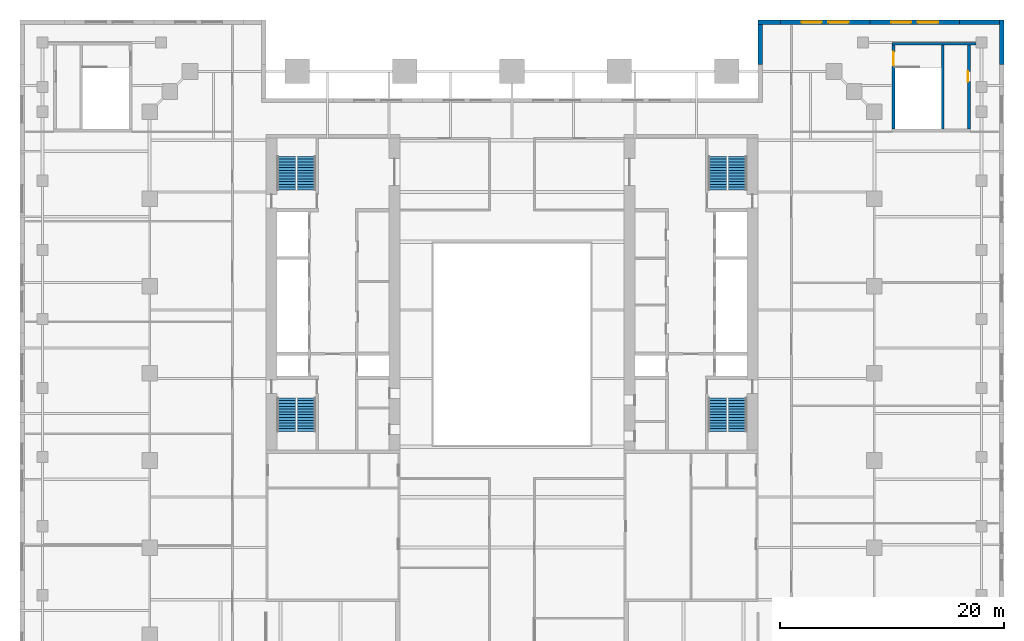
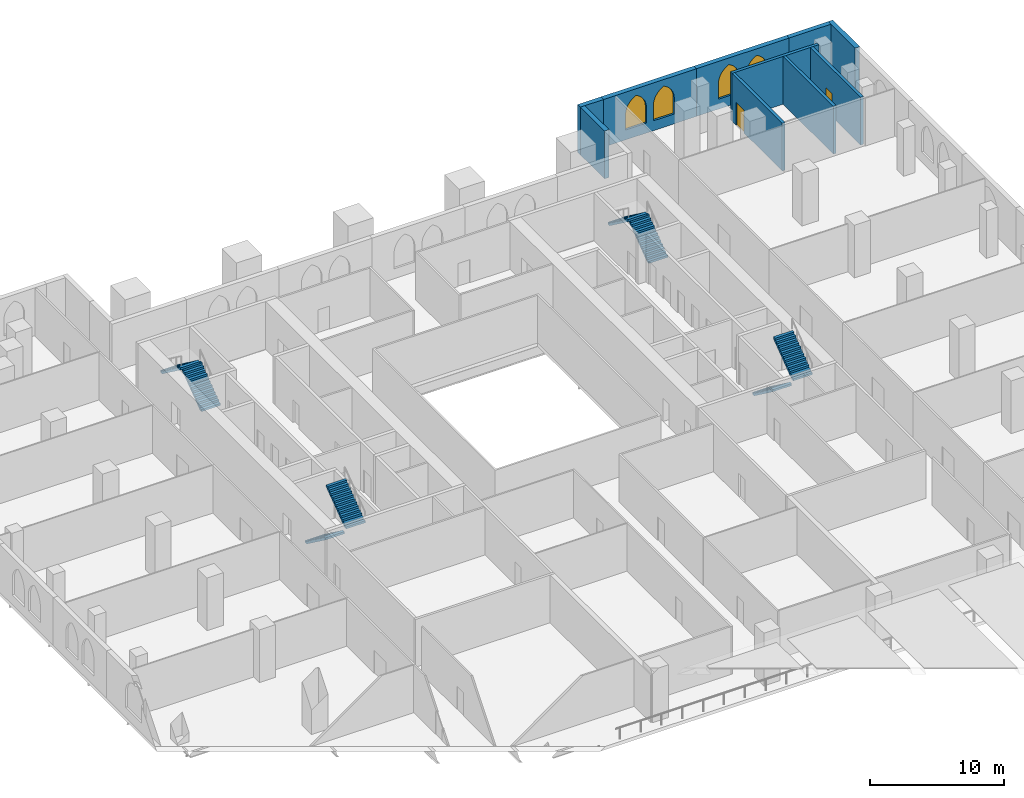
# One storey, part 17 of 18: 10 walls, 8 stair flights, 4 windows, 2 doors, 6 openings, 4 elements without a shape of their own.
"""IFC4 building model written with IfcOpenShell, lengths in metres."""

from ifc_helpers import new_model, si_unit, direction, frame, frame_2d, origin, place, context, subcontext, project, spatial, polyline, rectangle, outline, extrude, material, layer, layer_set, type_object, element, fill, aggregate, save


model = new_model("IFC4")

# Units and contexts
model_context = context("Model", 3, precision=1e-05, world=origin(), true_north=direction((0.0, 1.0)))
body_context = subcontext(model_context, "Body", "Model", "MODEL_VIEW")
ifc_project = project(units=[si_unit("LENGTHUNIT", "METRE"), si_unit("AREAUNIT", "SQUARE_METRE"), si_unit("VOLUMEUNIT", "CUBIC_METRE"), si_unit("PLANEANGLEUNIT", "RADIAN"), si_unit("MASSUNIT", "GRAM", prefix="KILO")], contexts=[model_context])

# Site, building, storey
site_placement = place(None, origin())
site = spatial("IfcSite", under=ifc_project, at=site_placement, CompositionType="ELEMENT")
building_placement = place(site_placement, origin())
building = spatial("IfcBuilding", under=site, at=building_placement, Name="Ogive Exchange Tower", CompositionType="ELEMENT")
storey_placement = place(building_placement, frame((0.0, 0.0, 28.800048828125)))
storey = spatial("IfcBuildingStorey", under=building, at=storey_placement, Name="L05", CompositionType="ELEMENT", Elevation=28.800048828125)

# Walls
ifc_material_1 = material(Name="Precast concrete C40/50", Category="concrete")
ifc_layer_1 = layer(ifc_material_1, 0.39990234375)
ifc_layer_set_1 = layer_set([ifc_layer_1], Name="Limestone-faced wall 400")
wall_type_1 = type_object("IfcWallType", Name="Limestone-faced wall 400", PredefinedType="STANDARD", material=ifc_layer_set_1)
wall_1_placement = place(storey_placement, frame((43.800048828125, 32.0, 0.0), z_axis=(0.0, 0.0, 1.0), x_axis=(0.0, 1.0, 0.0)))
element("IfcWall", 1, at=wall_1_placement, inside=storey, type_object=wall_type_1, Name="Podium wall E12", PredefinedType="STANDARD", context=body_context, shape_type="SweptSolid", body=[
    extrude(rectangle(XDim=4.0, YDim=0.39990234375, at=frame_2d((2.0, 0.0))), origin(), (0.0, 0.0, 1.0), 4.349853515625),
])
wall_2_placement = place(storey_placement, frame((43.60009765625, 35.800048828125, 0.0), z_axis=(0.0, 0.0, 1.0), x_axis=(-1.0, 0.0, 0.0)))
element("IfcWall", 2, at=wall_2_placement, inside=storey, type_object=wall_type_1, Name="Podium wall N1", PredefinedType="STANDARD", context=body_context, shape_type="SweptSolid", body=[
    extrude(rectangle(XDim=3.60009765625, YDim=0.39990234375, at=frame_2d((1.800048828125, 0.0))), origin(), (0.0, 0.0, 1.0), 4.349853515625),
])

# Wall, openings, windows
wall_3_placement = place(storey_placement, frame((40.0, 35.800048828125, 0.0), z_axis=(0.0, 0.0, 1.0), x_axis=(-1.0, 0.0, 0.0)))
wall_3 = element("IfcWall", 3, at=wall_3_placement, inside=storey, type_object=wall_type_1, Name="Podium wall N2", PredefinedType="STANDARD", context=body_context, shape_type="SweptSolid", body=[
    extrude(rectangle(XDim=8.0, YDim=0.39990234375, at=frame_2d((4.0, 0.0))), origin(), (0.0, 0.0, 1.0), 4.349853515625),
])
opening_1_placement = place(wall_3_placement, frame((1.89990234375, 0.0, 0.89990234375)))
opening_1 = element("IfcOpeningElement", 4, at=opening_1_placement, cuts=wall_3, Name="Opening WQ285", PredefinedType="OPENING", context=body_context, shape_type="SweptSolid", body=[
    extrude(outline(polyline([(0.0, 0.0), (1.800048828125, 0.0), (1.800048828125, 1.425048828125), (1.784423828125, 1.646484375), (1.73779296875, 1.86376953125), (1.661376953125, 2.072265625), (1.55615234375, 2.267822265625), (1.4248046875, 2.44677734375), (1.269287109375, 2.60546875), (1.09326171875, 2.74072265625), (0.89990234375, 2.85009765625), (0.706787109375, 2.74072265625), (0.53076171875, 2.60546875), (0.375244140625, 2.44677734375), (0.243896484375, 2.267822265625), (0.138671875, 2.072265625), (0.062255859375, 1.86376953125), (0.015625, 1.646484375), (0.0, 1.425048828125), (0.0, 0.0)])), frame((0.0, 0.2099609375, 0.0), z_axis=(0.0, -1.0, 0.0), x_axis=(1.0, 0.0, 0.0)), (0.0, 0.0, 1.0), 0.419921875),
])
opening_2_placement = place(wall_3_placement, frame((4.300048828125, 0.0, 0.89990234375)))
opening_2 = element("IfcOpeningElement", 5, at=opening_2_placement, cuts=wall_3, Name="Opening WQ285", PredefinedType="OPENING", context=body_context, shape_type="SweptSolid", body=[
    extrude(outline(polyline([(0.0, 0.0), (1.800048828125, 0.0), (1.800048828125, 1.425048828125), (1.784423828125, 1.646484375), (1.73779296875, 1.86376953125), (1.661376953125, 2.072265625), (1.55615234375, 2.267822265625), (1.4248046875, 2.44677734375), (1.269287109375, 2.60546875), (1.09326171875, 2.74072265625), (0.89990234375, 2.85009765625), (0.706787109375, 2.74072265625), (0.53076171875, 2.60546875), (0.375244140625, 2.44677734375), (0.243896484375, 2.267822265625), (0.138671875, 2.072265625), (0.062255859375, 1.86376953125), (0.015625, 1.646484375), (0.0, 1.425048828125), (0.0, 0.0)])), frame((0.0, 0.2099609375, 0.0), z_axis=(0.0, -1.0, 0.0), x_axis=(1.0, 0.0, 0.0)), (0.0, 0.0, 1.0), 0.419921875),
])
ifc_material_2 = material(Name="Clear glass in bronze frame", Category="glass")
window_type = type_object("IfcWindowType", Name="Podium paired lancet 1800 x 2850", PartitioningType="DOUBLE_PANEL_VERTICAL", PredefinedType="WINDOW", material=ifc_material_2)
window_1_placement = place(opening_1_placement, origin())
window_1 = element("IfcWindow", 6, at=window_1_placement, inside=storey, type_object=window_type, Name="Podium paired lancet N2.1", OverallHeight=2.85009765625, OverallWidth=1.800048828125, PartitioningType="DOUBLE_PANEL_VERTICAL", PredefinedType="WINDOW", context=body_context, shape_type="SweptSolid", body=[
    extrude(outline(polyline([(0.0, 0.0), (1.800048828125, 0.0), (1.800048828125, 1.425048828125), (1.784423828125, 1.646484375), (1.73779296875, 1.86376953125), (1.661376953125, 2.072265625), (1.55615234375, 2.267822265625), (1.4248046875, 2.44677734375), (1.269287109375, 2.60546875), (1.09326171875, 2.74072265625), (0.89990234375, 2.85009765625), (0.706787109375, 2.74072265625), (0.53076171875, 2.60546875), (0.375244140625, 2.44677734375), (0.243896484375, 2.267822265625), (0.138671875, 2.072265625), (0.062255859375, 1.86376953125), (0.015625, 1.646484375), (0.0, 1.425048828125), (0.0, 0.0)])), frame((0.0, 0.030029296875, 0.0), z_axis=(0.0, -1.0, 0.0), x_axis=(1.0, 0.0, 0.0)), (0.0, 0.0, 1.0), 0.06005859375),
])
fill(opening_1, window_1)
window_2_placement = place(opening_2_placement, origin())
window_2 = element("IfcWindow", 7, at=window_2_placement, inside=storey, type_object=window_type, Name="Podium paired lancet N2.2", OverallHeight=2.85009765625, OverallWidth=1.800048828125, PartitioningType="DOUBLE_PANEL_VERTICAL", PredefinedType="WINDOW", context=body_context, shape_type="SweptSolid", body=[
    extrude(outline(polyline([(0.0, 0.0), (1.800048828125, 0.0), (1.800048828125, 1.425048828125), (1.784423828125, 1.646484375), (1.73779296875, 1.86376953125), (1.661376953125, 2.072265625), (1.55615234375, 2.267822265625), (1.4248046875, 2.44677734375), (1.269287109375, 2.60546875), (1.09326171875, 2.74072265625), (0.89990234375, 2.85009765625), (0.706787109375, 2.74072265625), (0.53076171875, 2.60546875), (0.375244140625, 2.44677734375), (0.243896484375, 2.267822265625), (0.138671875, 2.072265625), (0.062255859375, 1.86376953125), (0.015625, 1.646484375), (0.0, 1.425048828125), (0.0, 0.0)])), frame((0.0, 0.030029296875, 0.0), z_axis=(0.0, -1.0, 0.0), x_axis=(1.0, 0.0, 0.0)), (0.0, 0.0, 1.0), 0.06005859375),
])
fill(opening_2, window_2)

wall_4_placement = place(storey_placement, frame((32.0, 35.800048828125, 0.0), z_axis=(0.0, 0.0, 1.0), x_axis=(-1.0, 0.0, 0.0)))
wall_4 = element("IfcWall", 8, at=wall_4_placement, inside=storey, type_object=wall_type_1, Name="Podium wall N3", PredefinedType="STANDARD", context=body_context, shape_type="SweptSolid", body=[
    extrude(rectangle(XDim=8.0, YDim=0.39990234375, at=frame_2d((4.0, 0.0))), origin(), (0.0, 0.0, 1.0), 4.349853515625),
])
opening_3_placement = place(wall_4_placement, frame((1.89990234375, 0.0, 0.89990234375)))
opening_3 = element("IfcOpeningElement", 9, at=opening_3_placement, cuts=wall_4, Name="Opening WQ285", PredefinedType="OPENING", context=body_context, shape_type="SweptSolid", body=[
    extrude(outline(polyline([(0.0, 0.0), (1.800048828125, 0.0), (1.800048828125, 1.425048828125), (1.784423828125, 1.646484375), (1.73779296875, 1.86376953125), (1.661376953125, 2.072265625), (1.55615234375, 2.267822265625), (1.4248046875, 2.44677734375), (1.269287109375, 2.60546875), (1.09326171875, 2.74072265625), (0.89990234375, 2.85009765625), (0.706787109375, 2.74072265625), (0.53076171875, 2.60546875), (0.375244140625, 2.44677734375), (0.243896484375, 2.267822265625), (0.138671875, 2.072265625), (0.062255859375, 1.86376953125), (0.015625, 1.646484375), (0.0, 1.425048828125), (0.0, 0.0)])), frame((0.0, 0.2099609375, 0.0), z_axis=(0.0, -1.0, 0.0), x_axis=(1.0, 0.0, 0.0)), (0.0, 0.0, 1.0), 0.419921875),
])
opening_4_placement = place(wall_4_placement, frame((4.300048828125, 0.0, 0.89990234375)))
opening_4 = element("IfcOpeningElement", 10, at=opening_4_placement, cuts=wall_4, Name="Opening WQ285", PredefinedType="OPENING", context=body_context, shape_type="SweptSolid", body=[
    extrude(outline(polyline([(0.0, 0.0), (1.800048828125, 0.0), (1.800048828125, 1.425048828125), (1.784423828125, 1.646484375), (1.73779296875, 1.86376953125), (1.661376953125, 2.072265625), (1.55615234375, 2.267822265625), (1.4248046875, 2.44677734375), (1.269287109375, 2.60546875), (1.09326171875, 2.74072265625), (0.89990234375, 2.85009765625), (0.706787109375, 2.74072265625), (0.53076171875, 2.60546875), (0.375244140625, 2.44677734375), (0.243896484375, 2.267822265625), (0.138671875, 2.072265625), (0.062255859375, 1.86376953125), (0.015625, 1.646484375), (0.0, 1.425048828125), (0.0, 0.0)])), frame((0.0, 0.2099609375, 0.0), z_axis=(0.0, -1.0, 0.0), x_axis=(1.0, 0.0, 0.0)), (0.0, 0.0, 1.0), 0.419921875),
])
window_3_placement = place(opening_3_placement, origin())
window_3 = element("IfcWindow", 11, at=window_3_placement, inside=storey, type_object=window_type, Name="Podium paired lancet N3.1", OverallHeight=2.85009765625, OverallWidth=1.800048828125, PartitioningType="DOUBLE_PANEL_VERTICAL", PredefinedType="WINDOW", context=body_context, shape_type="SweptSolid", body=[
    extrude(outline(polyline([(0.0, 0.0), (1.800048828125, 0.0), (1.800048828125, 1.425048828125), (1.784423828125, 1.646484375), (1.73779296875, 1.86376953125), (1.661376953125, 2.072265625), (1.55615234375, 2.267822265625), (1.4248046875, 2.44677734375), (1.269287109375, 2.60546875), (1.09326171875, 2.74072265625), (0.89990234375, 2.85009765625), (0.706787109375, 2.74072265625), (0.53076171875, 2.60546875), (0.375244140625, 2.44677734375), (0.243896484375, 2.267822265625), (0.138671875, 2.072265625), (0.062255859375, 1.86376953125), (0.015625, 1.646484375), (0.0, 1.425048828125), (0.0, 0.0)])), frame((0.0, 0.030029296875, 0.0), z_axis=(0.0, -1.0, 0.0), x_axis=(1.0, 0.0, 0.0)), (0.0, 0.0, 1.0), 0.06005859375),
])
fill(opening_3, window_3)
window_4_placement = place(opening_4_placement, origin())
window_4 = element("IfcWindow", 12, at=window_4_placement, inside=storey, type_object=window_type, Name="Podium paired lancet N3.2", OverallHeight=2.85009765625, OverallWidth=1.800048828125, PartitioningType="DOUBLE_PANEL_VERTICAL", PredefinedType="WINDOW", context=body_context, shape_type="SweptSolid", body=[
    extrude(outline(polyline([(0.0, 0.0), (1.800048828125, 0.0), (1.800048828125, 1.425048828125), (1.784423828125, 1.646484375), (1.73779296875, 1.86376953125), (1.661376953125, 2.072265625), (1.55615234375, 2.267822265625), (1.4248046875, 2.44677734375), (1.269287109375, 2.60546875), (1.09326171875, 2.74072265625), (0.89990234375, 2.85009765625), (0.706787109375, 2.74072265625), (0.53076171875, 2.60546875), (0.375244140625, 2.44677734375), (0.243896484375, 2.267822265625), (0.138671875, 2.072265625), (0.062255859375, 1.86376953125), (0.015625, 1.646484375), (0.0, 1.425048828125), (0.0, 0.0)])), frame((0.0, 0.030029296875, 0.0), z_axis=(0.0, -1.0, 0.0), x_axis=(1.0, 0.0, 0.0)), (0.0, 0.0, 1.0), 0.06005859375),
])
fill(opening_4, window_4)

# Walls
wall_5_placement = place(storey_placement, frame((24.0, 35.800048828125, 0.0), z_axis=(0.0, 0.0, 1.0), x_axis=(-1.0, 0.0, 0.0)))
element("IfcWall", 13, at=wall_5_placement, inside=storey, type_object=wall_type_1, Name="Podium wall N4", PredefinedType="STANDARD", context=body_context, shape_type="SweptSolid", body=[
    extrude(rectangle(XDim=2.0, YDim=0.39990234375, at=frame_2d((1.0, 0.0))), origin(), (0.0, 0.0, 1.0), 4.349853515625),
])
wall_6_placement = place(storey_placement, frame((22.199951171875, 35.60009765625, 0.0), z_axis=(0.0, 0.0, 1.0), x_axis=(0.0, -1.0, 0.0)))
element("IfcWall", 14, at=wall_6_placement, inside=storey, type_object=wall_type_1, Name="Podium wall K1", PredefinedType="STANDARD", context=body_context, shape_type="SweptSolid", body=[
    extrude(rectangle(XDim=3.60009765625, YDim=0.39990234375, at=frame_2d((1.800048828125, 0.0))), origin(), (0.0, 0.0, 1.0), 4.349853515625),
])
ifc_material_3 = material(Name="Concrete C70/85", Category="concrete")
ifc_layer_2 = layer(ifc_material_3, 0.25)
ifc_layer_set_2 = layer_set([ifc_layer_2], Name="RC core wall 250 C70/85")
wall_type_2 = type_object("IfcWallType", Name="RC core wall 250 C70/85", PredefinedType="SHEAR", material=ifc_layer_set_2)
wall_7_placement = place(storey_placement, frame((34.0, 33.875, 0.0), z_axis=(0.0, 0.0, 1.0), x_axis=(1.0, 0.0, 0.0)))
element("IfcWall", 15, at=wall_7_placement, inside=storey, type_object=wall_type_2, Name="PS4 north wall", PredefinedType="SHEAR", context=body_context, shape_type="SweptSolid", body=[
    extrude(rectangle(XDim=7.5, YDim=0.25, at=frame_2d((3.75, 0.0))), origin(), (0.0, 0.0, 1.0), 4.349853515625),
])

# Wall, opening, door
wall_8_placement = place(storey_placement, frame((34.125, 26.25, 0.0), z_axis=(0.0, 0.0, 1.0), x_axis=(0.0, 1.0, 0.0)))
wall_8 = element("IfcWall", 16, at=wall_8_placement, inside=storey, type_object=wall_type_2, Name="PS4 west wall", PredefinedType="SHEAR", context=body_context, shape_type="SweptSolid", body=[
    extrude(rectangle(XDim=7.5, YDim=0.25, at=frame_2d((3.75, 0.0))), origin(), (0.0, 0.0, 1.0), 4.349853515625),
])
opening_5_placement = place(wall_8_placement, frame((5.699951171875, 0.0, 0.0)))
opening_5 = element("IfcOpeningElement", 17, at=opening_5_placement, cuts=wall_8, Name="Opening L05-C51", PredefinedType="OPENING", context=body_context, shape_type="SweptSolid", body=[
    extrude(rectangle(XDim=1.199951171875, YDim=2.10009765625, at=frame_2d((0.60009765625, 1.050048828125))), frame((0.0, 0.135009765625, 0.0), z_axis=(0.0, -1.0, 0.0), x_axis=(1.0, 0.0, 0.0)), (0.0, 0.0, 1.0), 0.27001953125),
])
ifc_material_4 = material(Name="Steel fire door", Category="steel")
door_type_1 = type_object("IfcDoorType", Name="Stair door FD90 1200 x 2100", OperationType="NOTDEFINED", PredefinedType="DOOR", material=ifc_material_4)
door_1_placement = place(opening_5_placement, origin())
door_1 = element("IfcDoor", 18, at=door_1_placement, inside=storey, type_object=door_type_1, Name="Stair door", ObjectType="CD5", OperationType="SINGLE_SWING_LEFT", OverallHeight=2.10009765625, OverallWidth=1.199951171875, PredefinedType="DOOR", context=body_context, shape_type="SweptSolid", body=[
    extrude(rectangle(XDim=1.199951171875, YDim=2.10009765625, at=frame_2d((0.60009765625, 1.050048828125))), frame((0.0, 0.02490234375, 0.0), z_axis=(0.0, -1.0, 0.0), x_axis=(1.0, 0.0, 0.0)), (0.0, 0.0, 1.0), 0.050048828125),
])
fill(opening_5, door_1)

wall_9_placement = place(storey_placement, frame((40.875, 26.25, 0.0), z_axis=(0.0, 0.0, 1.0), x_axis=(0.0, 1.0, 0.0)))
wall_9 = element("IfcWall", 19, at=wall_9_placement, inside=storey, type_object=wall_type_2, Name="PS4 east wall", PredefinedType="SHEAR", context=body_context, shape_type="SweptSolid", body=[
    extrude(rectangle(XDim=7.5, YDim=0.25, at=frame_2d((3.75, 0.0))), origin(), (0.0, 0.0, 1.0), 4.349853515625),
])
opening_6_placement = place(wall_9_placement, frame((4.25, 0.0, 0.0)))
opening_6 = element("IfcOpeningElement", 20, at=opening_6_placement, cuts=wall_9, Name="Opening L05-C52", PredefinedType="OPENING", context=body_context, shape_type="SweptSolid", body=[
    extrude(rectangle(XDim=0.89990234375, YDim=2.10009765625, at=frame_2d((0.449951171875, 1.050048828125))), frame((0.0, 0.135009765625, 0.0), z_axis=(0.0, -1.0, 0.0), x_axis=(1.0, 0.0, 0.0)), (0.0, 0.0, 1.0), 0.27001953125),
])
door_type_2 = type_object("IfcDoorType", Name="Riser door FD60 900 x 2100", OperationType="NOTDEFINED", PredefinedType="DOOR", material=ifc_material_4)
door_2_placement = place(opening_6_placement, frame((0.89990234375, 0.2001953125, 0.0), z_axis=(0.0, 0.0, 1.0), x_axis=(-1.0, 0.0, 0.0)))
door_2 = element("IfcDoor", 21, at=door_2_placement, inside=storey, type_object=door_type_2, Name="Riser door", ObjectType="CD2", OperationType="SINGLE_SWING_RIGHT", OverallHeight=2.10009765625, OverallWidth=0.89990234375, PredefinedType="DOOR", context=body_context, shape_type="SweptSolid", body=[
    extrude(rectangle(XDim=0.89990234375, YDim=2.10009765625, at=frame_2d((0.449951171875, 1.050048828125))), frame((0.0, 0.125, 0.0), z_axis=(0.0, -1.0, 0.0), x_axis=(1.0, 0.0, 0.0)), (0.0, 0.0, 1.0), 0.050048828125),
])
fill(opening_6, door_2)

# Wall
wall_10_placement = place(storey_placement, frame((38.52490234375, 26.25, 0.0), z_axis=(0.0, 0.0, 1.0), x_axis=(0.0, 1.0, 0.0)))
element("IfcWall", 22, at=wall_10_placement, inside=storey, type_object=wall_type_2, Name="PS4 partition wall", PredefinedType="SHEAR", context=body_context, shape_type="SweptSolid", body=[
    extrude(rectangle(XDim=7.5, YDim=0.25, at=frame_2d((3.75, 0.0))), origin(), (0.0, 0.0, 1.0), 4.349853515625),
])

# Stair, stair flights
ifc_material_5 = material(Name="Concrete C40/50", Category="concrete")
stair_type = type_object("IfcStairType", Name="Exit stair 1650 wide", PredefinedType="HALF_TURN_STAIR", material=ifc_material_5)
stair_1_placement = place(storey_placement, origin())
stair_1 = element("IfcStair", 23, at=stair_1_placement, inside=storey, type_object=stair_type, Name="L05 exit stair ST1", PredefinedType="HALF_TURN_STAIR")
stair_flight_type = type_object("IfcStairFlightType", Name="Stair flight 1650 wide", PredefinedType="STRAIGHT", material=ifc_material_5)
stair_flight_1_placement = place(storey_placement, frame((-20.175048828125, 2.199951171875, 0.0), z_axis=(0.0, 0.0, 1.0), x_axis=(0.0, -1.0, 0.0)))
stair_flight_1 = element("IfcStairFlight", 24, at=stair_flight_1_placement, type_object=stair_flight_type, Name="ST1 flight 1", NumberOfRisers=13, NumberOfTreads=12, PredefinedType="STRAIGHT", RiserHeight=0.184615385, TreadLength=0.25, context=body_context, shape_type="SweptSolid", body=[
    extrude(outline(polyline([(0.0, 0.0), (0.0, 0.1845703125), (0.25, 0.1845703125), (0.25, 0.369140625), (0.5, 0.369140625), (0.5, 0.553955078125), (0.75, 0.553955078125), (0.75, 0.738525390625), (1.0, 0.738525390625), (1.0, 0.923095703125), (1.25, 0.923095703125), (1.25, 1.107666015625), (1.5, 1.107666015625), (1.5, 1.292236328125), (1.75, 1.292236328125), (1.75, 1.476806640625), (2.0, 1.476806640625), (2.0, 1.66162109375), (2.25, 1.66162109375), (2.25, 1.84619140625), (2.5, 1.84619140625), (2.5, 2.03076171875), (2.75, 2.03076171875), (2.75, 2.21533203125), (3.0, 2.21533203125), (3.0, 2.39990234375), (3.0, 2.029052734375), (0.25244140625, 0.0), (0.0, 0.0)])), frame((0.0, 0.824951171875, 0.0), z_axis=(0.0, -1.0, 0.0), x_axis=(1.0, 0.0, 0.0)), (0.0, 0.0, 1.0), 1.64990234375),
])
stair_flight_2_placement = place(storey_placement, frame((-18.375, -0.800048828125, 2.39990234375), z_axis=(0.0, 0.0, 1.0), x_axis=(0.0, 1.0, 0.0)))
stair_flight_2 = element("IfcStairFlight", 25, at=stair_flight_2_placement, type_object=stair_flight_type, Name="ST1 flight 2", NumberOfRisers=13, NumberOfTreads=12, PredefinedType="STRAIGHT", RiserHeight=0.184615385, TreadLength=0.25, context=body_context, shape_type="SweptSolid", body=[
    extrude(outline(polyline([(0.0, 0.0), (0.0, 0.1845703125), (0.25, 0.1845703125), (0.25, 0.369140625), (0.5, 0.369140625), (0.5, 0.553955078125), (0.75, 0.553955078125), (0.75, 0.738525390625), (1.0, 0.738525390625), (1.0, 0.923095703125), (1.25, 0.923095703125), (1.25, 1.107666015625), (1.5, 1.107666015625), (1.5, 1.292236328125), (1.75, 1.292236328125), (1.75, 1.476806640625), (2.0, 1.476806640625), (2.0, 1.66162109375), (2.25, 1.66162109375), (2.25, 1.84619140625), (2.5, 1.84619140625), (2.5, 2.03076171875), (2.75, 2.03076171875), (2.75, 2.21533203125), (3.0, 2.21533203125), (3.0, 2.39990234375), (3.0, 2.029052734375), (0.25244140625, 0.0), (0.0, 0.0)])), frame((0.0, 0.824951171875, 0.0), z_axis=(0.0, -1.0, 0.0), x_axis=(1.0, 0.0, 0.0)), (0.0, 0.0, 1.0), 1.64990234375),
])
aggregate(stair_1, [stair_flight_1, stair_flight_2])

stair_2_placement = place(storey_placement, origin())
stair_2 = element("IfcStair", 26, at=stair_2_placement, inside=storey, type_object=stair_type, Name="L05 exit stair ST2", PredefinedType="HALF_TURN_STAIR")
stair_flight_3_placement = place(storey_placement, frame((-18.375, 20.800048828125, 0.0), z_axis=(0.0, 0.0, 1.0), x_axis=(0.0, 1.0, 0.0)))
stair_flight_3 = element("IfcStairFlight", 27, at=stair_flight_3_placement, type_object=stair_flight_type, Name="ST2 flight 1", NumberOfRisers=13, NumberOfTreads=12, PredefinedType="STRAIGHT", RiserHeight=0.184615385, TreadLength=0.25, context=body_context, shape_type="SweptSolid", body=[
    extrude(outline(polyline([(0.0, 0.0), (0.0, 0.1845703125), (0.25, 0.1845703125), (0.25, 0.369140625), (0.5, 0.369140625), (0.5, 0.553955078125), (0.75, 0.553955078125), (0.75, 0.738525390625), (1.0, 0.738525390625), (1.0, 0.923095703125), (1.25, 0.923095703125), (1.25, 1.107666015625), (1.5, 1.107666015625), (1.5, 1.292236328125), (1.75, 1.292236328125), (1.75, 1.476806640625), (2.0, 1.476806640625), (2.0, 1.66162109375), (2.25, 1.66162109375), (2.25, 1.84619140625), (2.5, 1.84619140625), (2.5, 2.03076171875), (2.75, 2.03076171875), (2.75, 2.21533203125), (3.0, 2.21533203125), (3.0, 2.39990234375), (3.0, 2.029052734375), (0.25244140625, 0.0), (0.0, 0.0)])), frame((0.0, 0.824951171875, 0.0), z_axis=(0.0, -1.0, 0.0), x_axis=(1.0, 0.0, 0.0)), (0.0, 0.0, 1.0), 1.64990234375),
])
stair_flight_4_placement = place(storey_placement, frame((-20.175048828125, 23.800048828125, 2.39990234375), z_axis=(0.0, 0.0, 1.0), x_axis=(0.0, -1.0, 0.0)))
stair_flight_4 = element("IfcStairFlight", 28, at=stair_flight_4_placement, type_object=stair_flight_type, Name="ST2 flight 2", NumberOfRisers=13, NumberOfTreads=12, PredefinedType="STRAIGHT", RiserHeight=0.184615385, TreadLength=0.25, context=body_context, shape_type="SweptSolid", body=[
    extrude(outline(polyline([(0.0, 0.0), (0.0, 0.1845703125), (0.25, 0.1845703125), (0.25, 0.369140625), (0.5, 0.369140625), (0.5, 0.553955078125), (0.75, 0.553955078125), (0.75, 0.738525390625), (1.0, 0.738525390625), (1.0, 0.923095703125), (1.25, 0.923095703125), (1.25, 1.107666015625), (1.5, 1.107666015625), (1.5, 1.292236328125), (1.75, 1.292236328125), (1.75, 1.476806640625), (2.0, 1.476806640625), (2.0, 1.66162109375), (2.25, 1.66162109375), (2.25, 1.84619140625), (2.5, 1.84619140625), (2.5, 2.03076171875), (2.75, 2.03076171875), (2.75, 2.21533203125), (3.0, 2.21533203125), (3.0, 2.39990234375), (3.0, 2.029052734375), (0.25244140625, 0.0), (0.0, 0.0)])), frame((0.0, 0.824951171875, 0.0), z_axis=(0.0, -1.0, 0.0), x_axis=(1.0, 0.0, 0.0)), (0.0, 0.0, 1.0), 1.64990234375),
])
aggregate(stair_2, [stair_flight_3, stair_flight_4])

stair_3_placement = place(storey_placement, origin())
stair_3 = element("IfcStair", 29, at=stair_3_placement, inside=storey, type_object=stair_type, Name="L05 exit stair ST3", PredefinedType="HALF_TURN_STAIR")
stair_flight_5_placement = place(storey_placement, frame((18.375, 2.199951171875, 0.0), z_axis=(0.0, 0.0, 1.0), x_axis=(0.0, -1.0, 0.0)))
stair_flight_5 = element("IfcStairFlight", 30, at=stair_flight_5_placement, type_object=stair_flight_type, Name="ST3 flight 1", NumberOfRisers=13, NumberOfTreads=12, PredefinedType="STRAIGHT", RiserHeight=0.184615385, TreadLength=0.25, context=body_context, shape_type="SweptSolid", body=[
    extrude(outline(polyline([(0.0, 0.0), (0.0, 0.1845703125), (0.25, 0.1845703125), (0.25, 0.369140625), (0.5, 0.369140625), (0.5, 0.553955078125), (0.75, 0.553955078125), (0.75, 0.738525390625), (1.0, 0.738525390625), (1.0, 0.923095703125), (1.25, 0.923095703125), (1.25, 1.107666015625), (1.5, 1.107666015625), (1.5, 1.292236328125), (1.75, 1.292236328125), (1.75, 1.476806640625), (2.0, 1.476806640625), (2.0, 1.66162109375), (2.25, 1.66162109375), (2.25, 1.84619140625), (2.5, 1.84619140625), (2.5, 2.03076171875), (2.75, 2.03076171875), (2.75, 2.21533203125), (3.0, 2.21533203125), (3.0, 2.39990234375), (3.0, 2.029052734375), (0.25244140625, 0.0), (0.0, 0.0)])), frame((0.0, 0.824951171875, 0.0), z_axis=(0.0, -1.0, 0.0), x_axis=(1.0, 0.0, 0.0)), (0.0, 0.0, 1.0), 1.64990234375),
])
stair_flight_6_placement = place(storey_placement, frame((20.175048828125, -0.800048828125, 2.39990234375), z_axis=(0.0, 0.0, 1.0), x_axis=(0.0, 1.0, 0.0)))
stair_flight_6 = element("IfcStairFlight", 31, at=stair_flight_6_placement, type_object=stair_flight_type, Name="ST3 flight 2", NumberOfRisers=13, NumberOfTreads=12, PredefinedType="STRAIGHT", RiserHeight=0.184615385, TreadLength=0.25, context=body_context, shape_type="SweptSolid", body=[
    extrude(outline(polyline([(0.0, 0.0), (0.0, 0.1845703125), (0.25, 0.1845703125), (0.25, 0.369140625), (0.5, 0.369140625), (0.5, 0.553955078125), (0.75, 0.553955078125), (0.75, 0.738525390625), (1.0, 0.738525390625), (1.0, 0.923095703125), (1.25, 0.923095703125), (1.25, 1.107666015625), (1.5, 1.107666015625), (1.5, 1.292236328125), (1.75, 1.292236328125), (1.75, 1.476806640625), (2.0, 1.476806640625), (2.0, 1.66162109375), (2.25, 1.66162109375), (2.25, 1.84619140625), (2.5, 1.84619140625), (2.5, 2.03076171875), (2.75, 2.03076171875), (2.75, 2.21533203125), (3.0, 2.21533203125), (3.0, 2.39990234375), (3.0, 2.029052734375), (0.25244140625, 0.0), (0.0, 0.0)])), frame((0.0, 0.824951171875, 0.0), z_axis=(0.0, -1.0, 0.0), x_axis=(1.0, 0.0, 0.0)), (0.0, 0.0, 1.0), 1.64990234375),
])
aggregate(stair_3, [stair_flight_5, stair_flight_6])

stair_4_placement = place(storey_placement, origin())
stair_4 = element("IfcStair", 32, at=stair_4_placement, inside=storey, type_object=stair_type, Name="L05 exit stair ST4", PredefinedType="HALF_TURN_STAIR")
stair_flight_7_placement = place(storey_placement, frame((20.175048828125, 20.800048828125, 0.0), z_axis=(0.0, 0.0, 1.0), x_axis=(0.0, 1.0, 0.0)))
stair_flight_7 = element("IfcStairFlight", 33, at=stair_flight_7_placement, type_object=stair_flight_type, Name="ST4 flight 1", NumberOfRisers=13, NumberOfTreads=12, PredefinedType="STRAIGHT", RiserHeight=0.184615385, TreadLength=0.25, context=body_context, shape_type="SweptSolid", body=[
    extrude(outline(polyline([(0.0, 0.0), (0.0, 0.1845703125), (0.25, 0.1845703125), (0.25, 0.369140625), (0.5, 0.369140625), (0.5, 0.553955078125), (0.75, 0.553955078125), (0.75, 0.738525390625), (1.0, 0.738525390625), (1.0, 0.923095703125), (1.25, 0.923095703125), (1.25, 1.107666015625), (1.5, 1.107666015625), (1.5, 1.292236328125), (1.75, 1.292236328125), (1.75, 1.476806640625), (2.0, 1.476806640625), (2.0, 1.66162109375), (2.25, 1.66162109375), (2.25, 1.84619140625), (2.5, 1.84619140625), (2.5, 2.03076171875), (2.75, 2.03076171875), (2.75, 2.21533203125), (3.0, 2.21533203125), (3.0, 2.39990234375), (3.0, 2.029052734375), (0.25244140625, 0.0), (0.0, 0.0)])), frame((0.0, 0.824951171875, 0.0), z_axis=(0.0, -1.0, 0.0), x_axis=(1.0, 0.0, 0.0)), (0.0, 0.0, 1.0), 1.64990234375),
])
stair_flight_8_placement = place(storey_placement, frame((18.375, 23.800048828125, 2.39990234375), z_axis=(0.0, 0.0, 1.0), x_axis=(0.0, -1.0, 0.0)))
stair_flight_8 = element("IfcStairFlight", 34, at=stair_flight_8_placement, type_object=stair_flight_type, Name="ST4 flight 2", NumberOfRisers=13, NumberOfTreads=12, PredefinedType="STRAIGHT", RiserHeight=0.184615385, TreadLength=0.25, context=body_context, shape_type="SweptSolid", body=[
    extrude(outline(polyline([(0.0, 0.0), (0.0, 0.1845703125), (0.25, 0.1845703125), (0.25, 0.369140625), (0.5, 0.369140625), (0.5, 0.553955078125), (0.75, 0.553955078125), (0.75, 0.738525390625), (1.0, 0.738525390625), (1.0, 0.923095703125), (1.25, 0.923095703125), (1.25, 1.107666015625), (1.5, 1.107666015625), (1.5, 1.292236328125), (1.75, 1.292236328125), (1.75, 1.476806640625), (2.0, 1.476806640625), (2.0, 1.66162109375), (2.25, 1.66162109375), (2.25, 1.84619140625), (2.5, 1.84619140625), (2.5, 2.03076171875), (2.75, 2.03076171875), (2.75, 2.21533203125), (3.0, 2.21533203125), (3.0, 2.39990234375), (3.0, 2.029052734375), (0.25244140625, 0.0), (0.0, 0.0)])), frame((0.0, 0.824951171875, 0.0), z_axis=(0.0, -1.0, 0.0), x_axis=(1.0, 0.0, 0.0)), (0.0, 0.0, 1.0), 1.64990234375),
])
aggregate(stair_4, [stair_flight_7, stair_flight_8])

save(model, "model.ifc")
